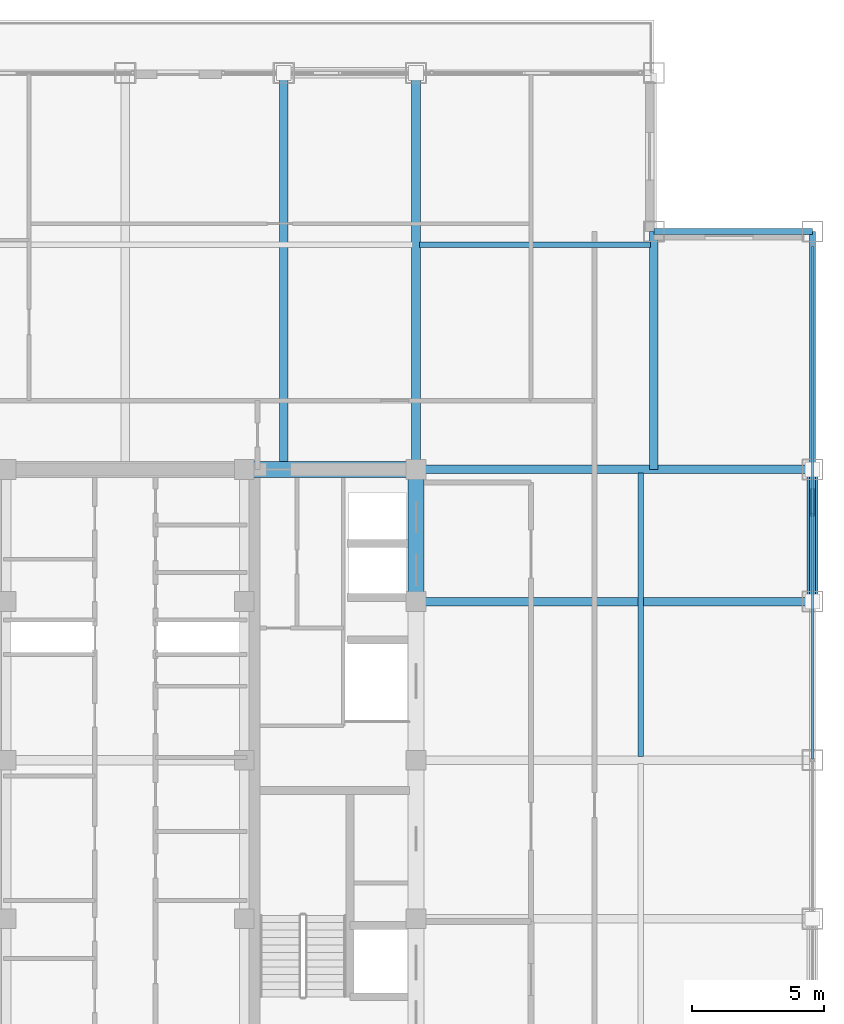
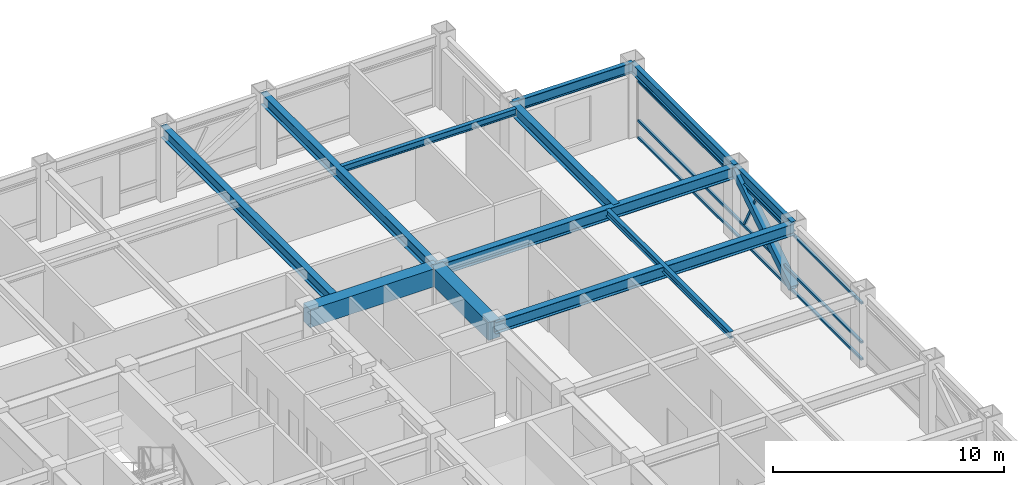
# One storey, part 19 of 30: 12 beams, 5 members, 1 element without a shape of its own.
"""IFC4 building model written with IfcOpenShell, lengths in metres."""

from ifc_helpers import new_model, si_unit, direction, frame, origin, origin_2d, place, context, subcontext, project, spatial, rectangle, hollow_rectangle, i_section, extrude, source, transform, mapped, material, material_profile, profile_set, type_object, element, aggregate, save


model = new_model("IFC4")

# Units and contexts
model_context = context("Model", 3, precision=1e-05, world=origin(), true_north=direction((0.0, 1.0)))
body_context = subcontext(model_context, "Body", "Model", "MODEL_VIEW")
ifc_project = project(units=[si_unit("LENGTHUNIT", "METRE"), si_unit("AREAUNIT", "SQUARE_METRE"), si_unit("VOLUMEUNIT", "CUBIC_METRE"), si_unit("PLANEANGLEUNIT", "RADIAN"), si_unit("MASSUNIT", "GRAM", prefix="KILO")], contexts=[model_context])

# Site, building, storey
site_placement = place(None, origin())
site = spatial("IfcSite", under=ifc_project, at=site_placement, CompositionType="ELEMENT")
building_placement = place(site_placement, origin())
building = spatial("IfcBuilding", under=site, at=building_placement, Name="Khorayat Bourse Tower", CompositionType="ELEMENT")
storey_placement = place(building_placement, frame((0.0, 0.0, 326.300048828125)))
storey = spatial("IfcBuildingStorey", under=building, at=storey_placement, Name="L77", CompositionType="ELEMENT", Elevation=326.300048828125)

# Beams
ifc_material_1 = material(Name="Concrete C60/75", Category="concrete")
ifc_material_profile_1 = material_profile(ifc_material_1, rectangle(XDim=0.60009765625, YDim=0.949951171875, at=origin_2d()), Name="RC 600x950")
ifc_profile_set_1 = profile_set([ifc_material_profile_1], Name="Concrete C60/75")
beam_type_1 = type_object("IfcBeamType", Name="BM-COUP-950", PredefinedType="BEAM", material=ifc_profile_set_1)
shared_shape_1 = source(origin(), body_context, "Body", "SweptSolid", [
    extrude(rectangle(XDim=0.60009765625, YDim=0.949951171875, at=origin_2d()), origin(), (0.0, 0.0, 1.0), 5.0),
])
beam_1_placement = place(storey_placement, frame((11.0, 6.0, 3.264892578125), z_axis=(0.0, 1.0, 0.0), x_axis=(-1.0, 0.0, 0.0)))
element("IfcBeam", 1, at=beam_1_placement, inside=storey, type_object=beam_type_1, Name="L77 BM-COUP-950 BM-L77-CRX-16", PredefinedType="BEAM", context=body_context, shape_type="MappedRepresentation", body=[
    mapped(shared_shape_1, transform((0.0, 0.0, 0.0), scale=1.0)),
])
shared_shape_2 = source(origin(), body_context, "Body", "SweptSolid", [
    extrude(rectangle(XDim=0.60009765625, YDim=0.949951171875, at=origin_2d()), origin(), (0.0, 0.0, 1.0), 6.5),
])
beam_2_placement = place(storey_placement, frame((4.5, 11.0, 3.264892578125), z_axis=(1.0, 0.0, 0.0), x_axis=(0.0, 1.0, 0.0)))
element("IfcBeam", 2, at=beam_2_placement, inside=storey, type_object=beam_type_1, Name="L77 BM-COUP-950 BM-L77-CRY-22", PredefinedType="BEAM", context=body_context, shape_type="MappedRepresentation", body=[
    mapped(shared_shape_2, transform((0.0, 0.0, 0.0), scale=1.0)),
])
ifc_material_2 = material(Name="Steel ASTM A992 Grade 50", Category="steel")
ifc_material_profile_2 = material_profile(ifc_material_2, i_section(OverallWidth=0.202880859375, OverallDepth=0.346923828125, WebThickness=0.0078125, FlangeThickness=0.013427734375, FilletRadius=0.010009765625, at=origin_2d()), Name="W360X64")
ifc_profile_set_2 = profile_set([ifc_material_profile_2], Name="Steel ASTM A992 Grade 50")
beam_type_2 = type_object("IfcBeamType", Name="BM-JOIST-360", PredefinedType="JOIST", material=ifc_profile_set_2)
shared_shape_3 = source(origin(), body_context, "Body", "SweptSolid", [
    extrude(i_section(OverallWidth=0.202880859375, OverallDepth=0.346923828125, WebThickness=0.0078125, FlangeThickness=0.013427734375, FilletRadius=0.010009765625, at=origin_2d()), origin(), (0.0, 0.0, 1.0), 10.740234375),
])
beam_3_placement = place(storey_placement, frame((19.5, 0.1298828125, 3.56640625), z_axis=(0.0, 1.0, 0.0), x_axis=(-1.0, 0.0, 0.0)))
element("IfcBeam", 3, at=beam_3_placement, inside=storey, type_object=beam_type_2, Name="L77 BM-JOIST-360 BM-L77-JSTY-089", PredefinedType="JOIST", context=body_context, shape_type="MappedRepresentation", body=[
    mapped(shared_shape_3, transform((0.0, 0.0, 0.0), scale=1.0)),
])
ifc_material_profile_3 = material_profile(ifc_material_2, i_section(OverallWidth=0.214111328125, OverallDepth=0.549072265625, WebThickness=0.0146484375, FlangeThickness=0.023681640625, FilletRadius=0.013916015625, at=origin_2d()), Name="W530X138")
ifc_profile_set_3 = profile_set([ifc_material_profile_3], Name="Steel ASTM A992 Grade 50")
beam_type_3 = type_object("IfcBeamType", Name="BM-SPAN-530", PredefinedType="SPANDREL", material=ifc_profile_set_3)
shared_shape_4 = source(origin(), body_context, "Body", "SweptSolid", [
    extrude(i_section(OverallWidth=0.214111328125, OverallDepth=0.549072265625, WebThickness=0.0146484375, FlangeThickness=0.023681640625, FilletRadius=0.013916015625, at=origin_2d()), origin(), (0.0, 0.0, 1.0), 9.0),
])
beam_4_placement = place(storey_placement, frame((26.0, 11.0, 3.46533203125), z_axis=(0.0, 1.0, 0.0), x_axis=(-1.0, 0.0, 0.0)))
element("IfcBeam", 4, at=beam_4_placement, inside=storey, type_object=beam_type_3, Name="L77 BM-SPAN-530 BM-L77-SPN-037", PredefinedType="SPANDREL", context=body_context, shape_type="MappedRepresentation", body=[
    mapped(shared_shape_4, transform((0.0, 0.0, 0.0), scale=1.0)),
])
shared_shape_5 = source(origin(), body_context, "Body", "SweptSolid", [
    extrude(i_section(OverallWidth=0.214111328125, OverallDepth=0.549072265625, WebThickness=0.0146484375, FlangeThickness=0.023681640625, FilletRadius=0.013916015625, at=origin_2d()), origin(), (0.0, 0.0, 1.0), 5.0),
])
beam_5_placement = place(storey_placement, frame((26.0, 6.0, 3.46533203125), z_axis=(0.0, 1.0, 0.0), x_axis=(-1.0, 0.0, 0.0)))
element("IfcBeam", 5, at=beam_5_placement, inside=storey, type_object=beam_type_3, Name="L77 BM-SPAN-530 BM-L77-SPN-036", PredefinedType="SPANDREL", context=body_context, shape_type="MappedRepresentation", body=[
    mapped(shared_shape_5, transform((0.0, 0.0, 0.0), scale=1.0)),
])
shared_shape_6 = source(origin(), body_context, "Body", "SweptSolid", [
    extrude(i_section(OverallWidth=0.214111328125, OverallDepth=0.549072265625, WebThickness=0.0146484375, FlangeThickness=0.023681640625, FilletRadius=0.013916015625, at=origin_2d()), origin(), (0.0, 0.0, 1.0), 6.0),
])
beam_6_placement = place(storey_placement, frame((20.0, 20.0, 3.46533203125), z_axis=(1.0, 0.0, 0.0), x_axis=(0.0, 1.0, 0.0)))
element("IfcBeam", 6, at=beam_6_placement, inside=storey, type_object=beam_type_3, Name="L77 BM-SPAN-530 BM-L77-SPN-038", PredefinedType="SPANDREL", context=body_context, shape_type="MappedRepresentation", body=[
    mapped(shared_shape_6, transform((0.0, 0.0, 0.0), scale=1.0)),
])
ifc_material_profile_4 = material_profile(ifc_material_2, i_section(OverallWidth=0.324951171875, OverallDepth=0.615966796875, WebThickness=0.013916015625, FlangeThickness=0.021484375, FilletRadius=0.01611328125, at=origin_2d()), Name="W610X174")
ifc_profile_set_4 = profile_set([ifc_material_profile_4], Name="Steel ASTM A992 Grade 50")
beam_type_4 = type_object("IfcBeamType", Name="BM-GIRD-610", PredefinedType="BEAM", material=ifc_profile_set_4)
shared_shape_7 = source(origin(), body_context, "Body", "SweptSolid", [
    extrude(i_section(OverallWidth=0.324951171875, OverallDepth=0.615966796875, WebThickness=0.013916015625, FlangeThickness=0.021484375, FilletRadius=0.01611328125, at=origin_2d()), origin(), (0.0, 0.0, 1.0), 15.0),
])
for number, where, z_axis, x_axis, name in (
    (7, (6.0, 11.0, 3.431884765625), (0.0, 1.0, 0.0), (-1.0, 0.0, 0.0), "L77 BM-GIRD-610 BM-L77-RADY-062"),
    (8, (11.0, 11.0, 3.431884765625), (0.0, 1.0, 0.0), (-1.0, 0.0, 0.0), "L77 BM-GIRD-610 BM-L77-RADY-064"),
    (9, (11.0, 6.0, 3.431884765625), (1.0, 0.0, 0.0), (0.0, 1.0, 0.0), "L77 BM-GIRD-610 BM-L77-RADX-072"),
    (10, (11.0, 11.0, 3.431884765625), (1.0, 0.0, 0.0), (0.0, 1.0, 0.0), "L77 BM-GIRD-610 BM-L77-RADX-074"),
):
    element("IfcBeam", number, at=place(storey_placement, frame(where, z_axis=z_axis, x_axis=x_axis)), inside=storey, type_object=beam_type_4, Name=name, PredefinedType="BEAM", context=body_context, shape_type="MappedRepresentation", body=[
        mapped(shared_shape_7, transform((0.0, 0.0, 0.0), scale=1.0)),
    ])
shared_shape_8 = source(origin(), body_context, "Body", "SweptSolid", [
    extrude(i_section(OverallWidth=0.324951171875, OverallDepth=0.615966796875, WebThickness=0.013916015625, FlangeThickness=0.021484375, FilletRadius=0.01611328125, at=origin_2d()), origin(), (0.0, 0.0, 1.0), 9.0),
])
beam_7_placement = place(storey_placement, frame((20.0, 11.0, 3.431884765625), z_axis=(0.0, 1.0, 0.0), x_axis=(-1.0, 0.0, 0.0)))
element("IfcBeam", 11, at=beam_7_placement, inside=storey, type_object=beam_type_4, Name="L77 BM-GIRD-610 BM-L77-CNRY-079", PredefinedType="BEAM", context=body_context, shape_type="MappedRepresentation", body=[
    mapped(shared_shape_8, transform((0.0, 0.0, 0.0), scale=1.0)),
])
shared_shape_9 = source(origin(), body_context, "Body", "SweptSolid", [
    extrude(i_section(OverallWidth=0.202880859375, OverallDepth=0.346923828125, WebThickness=0.0078125, FlangeThickness=0.013427734375, FilletRadius=0.010009765625, at=origin_2d()), origin(), (0.0, 0.0, 1.0), 8.740234375),
])
beam_8_placement = place(storey_placement, frame((11.1298828125, 19.5, 3.56640625), z_axis=(1.0, 0.0, 0.0), x_axis=(0.0, 1.0, 0.0)))
element("IfcBeam", 12, at=beam_8_placement, inside=storey, type_object=beam_type_2, Name="L77 BM-JOIST-360 BM-L77-JSTX-085", PredefinedType="JOIST", context=body_context, shape_type="MappedRepresentation", body=[
    mapped(shared_shape_9, transform((0.0, 0.0, 0.0), scale=1.0)),
])

# Member
ifc_material_3 = material(Name="Steel EN 10025-4 S460M", Category="steel")
ifc_material_profile_5 = material_profile(ifc_material_3, hollow_rectangle(XDim=0.39990234375, YDim=0.39990234375, WallThickness=0.02197265625, at=origin_2d()), Name="HSS 400x400x22")
ifc_profile_set_5 = profile_set([ifc_material_profile_5], Name="Steel EN 10025-4 S460M")
member_type_1 = type_object("IfcMemberType", Name="MBR-TUBE-400", PredefinedType="BRACE", material=ifc_profile_set_5)
shared_shape_10 = source(origin(), body_context, "Body", "SweptSolid", [
    extrude(hollow_rectangle(XDim=0.39990234375, YDim=0.39990234375, WallThickness=0.02197265625, at=origin_2d()), origin(), (0.0, 0.0, 1.0), 5.9580078125),
])
member_1_placement = place(storey_placement, frame((26.0, 6.0, 0.25), z_axis=(0.0, 0.839210474455, 0.543806748364), x_axis=(-1.0, 0.0, 0.0)))
element("IfcMember", 13, at=member_1_placement, inside=storey, type_object=member_type_1, Name="L77 Perimeter Tube Brace 08", PredefinedType="BRACE", context=body_context, shape_type="MappedRepresentation", body=[
    mapped(shared_shape_10, transform((0.0, 0.0, 0.0), scale=1.0)),
])

# Curtain wall, members
ifc_material_4 = material(Name="Aluminium EN AW-6063 T6", Category="aluminium")
curtain_wall_type = type_object("IfcCurtainWallType", Name="CW-SYS-04", PredefinedType="NOTDEFINED", material=ifc_material_4)
curtain_wall_placement = place(storey_placement, origin())
curtain_wall = element("IfcCurtainWall", 14, at=curtain_wall_placement, inside=storey, type_object=curtain_wall_type, Name="L77 Curtain Wall CW-L77-E1", PredefinedType="NOTDEFINED")
ifc_material_profile_6 = material_profile(ifc_material_4, hollow_rectangle(XDim=0.1201171875, YDim=0.1201171875, WallThickness=0.0048828125, at=origin_2d()), Name="ALU 120x120x5")
ifc_profile_set_6 = profile_set([ifc_material_profile_6], Name="Aluminium EN AW-6063 T6")
member_type_2 = type_object("IfcMemberType", Name="CWM-DIAG-120", PredefinedType="MULLION", material=ifc_profile_set_6)
shared_shape_11 = source(origin(), body_context, "Body", "SweptSolid", [
    extrude(hollow_rectangle(XDim=0.1201171875, YDim=0.1201171875, WallThickness=0.0048828125, at=origin_2d()), origin(), (0.0, 0.0, 1.0), 2.0341796875),
])
member_2_placement = place(storey_placement, frame((26.0, 10.21875, 1.08984375), z_axis=(0.0, -0.465790950955, 0.884894790361), x_axis=(1.0, 0.0, 0.0)))
member_2 = element("IfcMember", 15, at=member_2_placement, type_object=member_type_2, Name="CW-L77-E1 Faceted Diagonal Mullion 2", PredefinedType="MULLION", context=body_context, shape_type="MappedRepresentation", body=[
    mapped(shared_shape_11, transform((0.0, 0.0, 0.0), scale=1.0)),
])
ifc_material_profile_7 = material_profile(ifc_material_4, hollow_rectangle(XDim=0.1201171875, YDim=0.1201171875, WallThickness=0.0048828125, at=origin_2d()), Name="ALU 120x120x5")
ifc_profile_set_7 = profile_set([ifc_material_profile_7], Name="Aluminium EN AW-6063 T6")
member_type_3 = type_object("IfcMemberType", Name="CWT-HORZ-120", PredefinedType="USERDEFINED", material=ifc_profile_set_7)
shared_shape_12 = source(origin(), body_context, "Body", "SweptSolid", [
    extrude(hollow_rectangle(XDim=0.1201171875, YDim=0.1201171875, WallThickness=0.0048828125, at=origin_2d()), origin(), (0.0, 0.0, 1.0), 19.369873046875),
])
member_3_placement = place(storey_placement, frame((26.0, 0.06005859375, 0.06005859375), z_axis=(0.0, 1.0, 0.0), x_axis=(-1.0, 0.0, 0.0)))
member_3 = element("IfcMember", 16, at=member_3_placement, type_object=member_type_3, Name="CW-L77-E1 Horizontal Transom 2-1", ObjectType="TRANSOM", PredefinedType="USERDEFINED", context=body_context, shape_type="MappedRepresentation", body=[
    mapped(shared_shape_12, transform((0.0, 0.0, 0.0), scale=1.0)),
])
member_4_placement = place(storey_placement, frame((26.0, 0.06005859375, 0.949951171875), z_axis=(0.0, 1.0, 0.0), x_axis=(-1.0, 0.0, 0.0)))
member_4 = element("IfcMember", 17, at=member_4_placement, type_object=member_type_3, Name="CW-L77-E1 Horizontal Transom 2-2", ObjectType="TRANSOM", PredefinedType="USERDEFINED", context=body_context, shape_type="MappedRepresentation", body=[
    mapped(shared_shape_12, transform((0.0, 0.0, 0.0), scale=1.0)),
])
member_5_placement = place(storey_placement, frame((26.0, 0.06005859375, 3.030029296875), z_axis=(0.0, 1.0, 0.0), x_axis=(-1.0, 0.0, 0.0)))
member_5 = element("IfcMember", 18, at=member_5_placement, type_object=member_type_3, Name="CW-L77-E1 Horizontal Transom 2-3", ObjectType="TRANSOM", PredefinedType="USERDEFINED", context=body_context, shape_type="MappedRepresentation", body=[
    mapped(shared_shape_12, transform((0.0, 0.0, 0.0), scale=1.0)),
])
aggregate(curtain_wall, [member_3, member_4, member_5, member_2])

save(model, "model.ifc")
